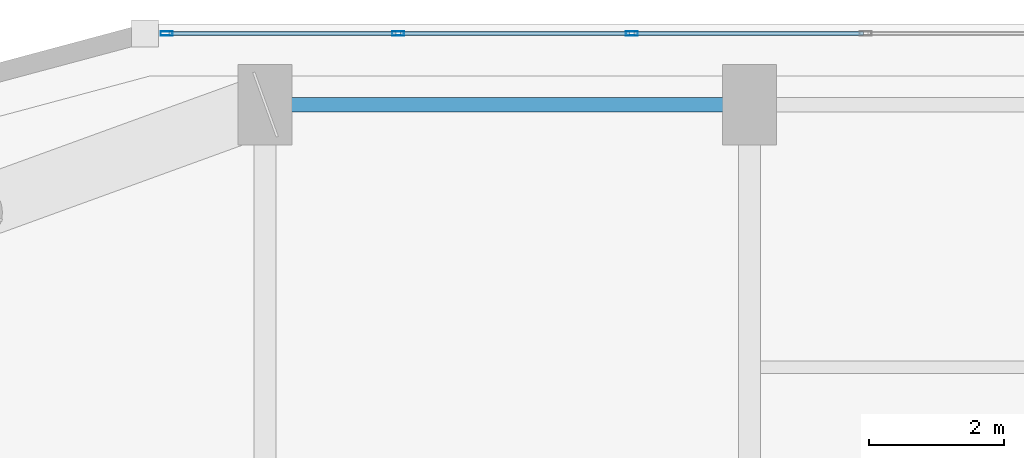
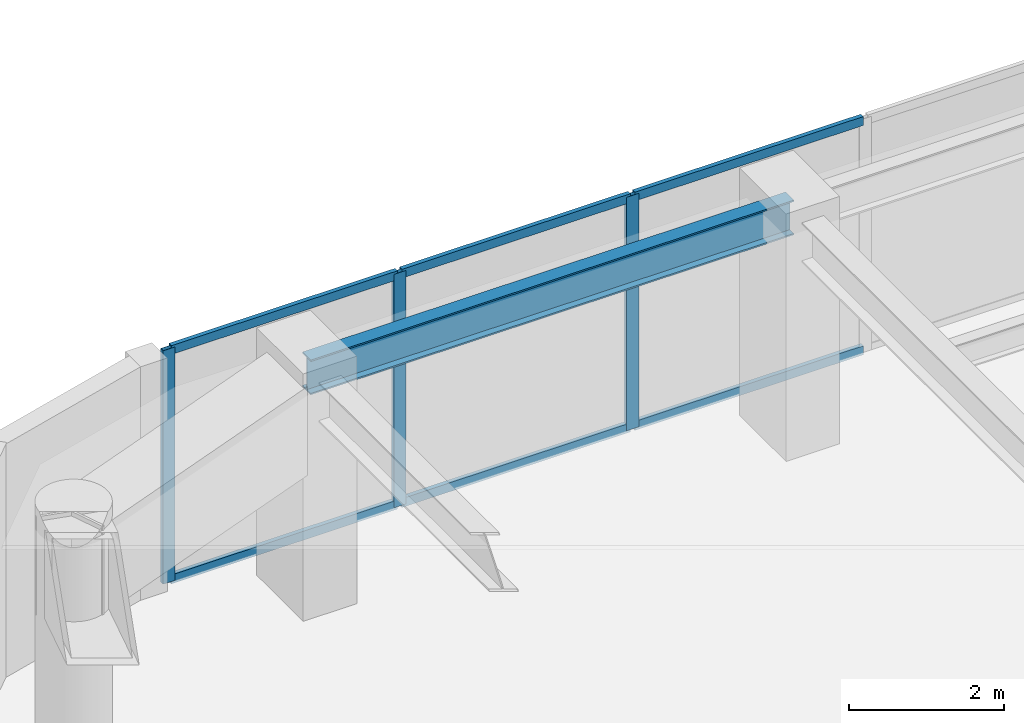
# One storey, part 17 of 30: 9 members, 1 beam, 1 element without a shape of its own.
"""IFC4 building model written with IfcOpenShell, lengths in metres."""

from ifc_helpers import new_model, si_unit, direction, frame, origin, origin_2d, place, context, subcontext, project, spatial, hollow_rectangle, i_section, extrude, material, layer, layer_set, material_profile, profile_set, type_object, element, aggregate, save


model = new_model("IFC4")

# Units and contexts
model_context = context("Model", 3, precision=1e-05, world=origin(), true_north=direction((0.0, 1.0)))
body_context = subcontext(model_context, "Body", "Model", "MODEL_VIEW")
ifc_project = project(units=[si_unit("LENGTHUNIT", "METRE"), si_unit("AREAUNIT", "SQUARE_METRE"), si_unit("VOLUMEUNIT", "CUBIC_METRE"), si_unit("PLANEANGLEUNIT", "RADIAN"), si_unit("MASSUNIT", "GRAM", prefix="KILO")], contexts=[model_context])

# Site, building, storey
site_placement = place(None, origin())
site = spatial("IfcSite", under=ifc_project, at=site_placement, CompositionType="ELEMENT")
building_placement = place(site_placement, origin())
building = spatial("IfcBuilding", under=site, at=building_placement, Name="Kiyonajd Concourse Tower", CompositionType="ELEMENT")
storey_placement = place(building_placement, frame((0.0, 0.0, 194.10009765625)))
storey = spatial("IfcBuildingStorey", under=building, at=storey_placement, Name="L49", CompositionType="ELEMENT", Elevation=194.10009765625)

# Beam
ifc_material_1 = material(Name="Steel ASTM A992 Grade 50", Category="steel")
ifc_material_profile_1 = material_profile(ifc_material_1, i_section(OverallWidth=0.214111328125, OverallDepth=0.549072265625, WebThickness=0.0146484375, FlangeThickness=0.023681640625, at=origin_2d()), Name="W530X138")
ifc_profile_set_1 = profile_set([ifc_material_profile_1], Name="Steel ASTM A992 Grade 50")
beam_type = type_object("IfcBeamType", Name="BM-SPAN-530A", PredefinedType="SPANDREL", material=ifc_profile_set_1)
beam_placement = place(storey_placement, frame((32.39990234375, 61.199951171875, 3.405517578125), z_axis=(-1.0, 0.0, 0.0), x_axis=(0.0, -1.0, 0.0)))
element("IfcBeam", 1, at=beam_placement, inside=storey, type_object=beam_type, Name="L49 Perimeter Bundled Tube Spandrel", PredefinedType="SPANDREL", context=body_context, shape_type="SweptSolid", body=[
    extrude(i_section(OverallWidth=0.214111328125, OverallDepth=0.549072265625, WebThickness=0.0146484375, FlangeThickness=0.023681640625, at=origin_2d()), origin(), (0.0, 0.0, 1.0), 7.199951171875),
])

# Curtain wall, members
ifc_material_2 = material(Name="Thermally Broken Anodised Aluminium", Category="aluminium")
ifc_layer = layer(ifc_material_2, 0.179931640625)
ifc_layer_set = layer_set([ifc_layer], Name="Thermally Broken Anodised Aluminium")
curtain_wall_type = type_object("IfcCurtainWallType", Name="CW-SYS-03", PredefinedType="NOTDEFINED", material=ifc_layer_set)
curtain_wall_placement = place(storey_placement, origin())
curtain_wall = element("IfcCurtainWall", 2, at=curtain_wall_placement, inside=storey, type_object=curtain_wall_type, Name="L49 Unitised Curtain Wall CW3", PredefinedType="NOTDEFINED")
ifc_material_profile_2 = material_profile(ifc_material_2, hollow_rectangle(XDim=0.06494140625, YDim=0.179931640625, WallThickness=0.00390625, at=origin_2d()), Name="MULL-65x180")
ifc_profile_set_2 = profile_set([ifc_material_profile_2], Name="Thermally Broken Anodised Aluminium")
member_type_1 = type_object("IfcMemberType", Name="MB-CW-MULL1", PredefinedType="MULLION", material=ifc_profile_set_2)
member_1_placement = place(storey_placement, frame((23.740966796875, 62.260009765625, 0.0), z_axis=(0.0, 0.0, 1.0), x_axis=(0.0, 1.0, 0.0)))
member_1 = element("IfcMember", 3, at=member_1_placement, type_object=member_type_1, Name="CW3 mullion 1", PredefinedType="MULLION", context=body_context, shape_type="SweptSolid", body=[
    extrude(hollow_rectangle(XDim=0.06494140625, YDim=0.179931640625, WallThickness=0.00390625, at=origin_2d()), origin(), (0.0, 0.0, 1.0), 3.679931640625),
])
member_2_placement = place(storey_placement, frame((27.180908203125, 62.260009765625, 0.0), z_axis=(0.0, 0.0, 1.0), x_axis=(0.0, 1.0, 0.0)))
member_2 = element("IfcMember", 4, at=member_2_placement, type_object=member_type_1, Name="CW3 mullion 2", PredefinedType="MULLION", context=body_context, shape_type="SweptSolid", body=[
    extrude(hollow_rectangle(XDim=0.06494140625, YDim=0.179931640625, WallThickness=0.00390625, at=origin_2d()), origin(), (0.0, 0.0, 1.0), 3.679931640625),
])
member_3_placement = place(storey_placement, frame((30.6533203125, 62.260009765625, 0.0), z_axis=(0.0, 0.0, 1.0), x_axis=(0.0, 1.0, 0.0)))
member_3 = element("IfcMember", 5, at=member_3_placement, type_object=member_type_1, Name="CW3 mullion 3", PredefinedType="MULLION", context=body_context, shape_type="SweptSolid", body=[
    extrude(hollow_rectangle(XDim=0.06494140625, YDim=0.179931640625, WallThickness=0.00390625, at=origin_2d()), origin(), (0.0, 0.0, 1.0), 3.679931640625),
])
ifc_material_profile_3 = material_profile(ifc_material_2, hollow_rectangle(XDim=0.06494140625, YDim=0.139892578125, WallThickness=0.00390625, at=origin_2d()), Name="TRAN-65x140")
ifc_profile_set_3 = profile_set([ifc_material_profile_3], Name="Thermally Broken Anodised Aluminium")
member_type_2 = type_object("IfcMemberType", Name="MB-CW-TRAN1", PredefinedType="USERDEFINED", material=ifc_profile_set_3)
member_4_placement = place(storey_placement, frame((23.7734375, 62.260009765625, 0.032470703125), z_axis=(1.0, 0.0, 0.0), x_axis=(0.0, 1.0, 0.0)))
member_4 = element("IfcMember", 6, at=member_4_placement, type_object=member_type_2, Name="CW3 transom 1.1", ObjectType="TRANSOM", PredefinedType="USERDEFINED", context=body_context, shape_type="SweptSolid", body=[
    extrude(hollow_rectangle(XDim=0.06494140625, YDim=0.139892578125, WallThickness=0.00390625, at=origin_2d()), origin(), (0.0, 0.0, 1.0), 3.374755859375),
])
member_5_placement = place(storey_placement, frame((23.7734375, 62.260009765625, 3.6474609375), z_axis=(1.0, 0.0, 0.0), x_axis=(0.0, 1.0, 0.0)))
member_5 = element("IfcMember", 7, at=member_5_placement, type_object=member_type_2, Name="CW3 transom 1.2", ObjectType="TRANSOM", PredefinedType="USERDEFINED", context=body_context, shape_type="SweptSolid", body=[
    extrude(hollow_rectangle(XDim=0.06494140625, YDim=0.139892578125, WallThickness=0.00390625, at=origin_2d()), origin(), (0.0, 0.0, 1.0), 3.374755859375),
])
member_6_placement = place(storey_placement, frame((27.21337890625, 62.260009765625, 0.032470703125), z_axis=(1.0, 0.0, 0.0), x_axis=(0.0, 1.0, 0.0)))
member_6 = element("IfcMember", 8, at=member_6_placement, type_object=member_type_2, Name="CW3 transom 2.1", ObjectType="TRANSOM", PredefinedType="USERDEFINED", context=body_context, shape_type="SweptSolid", body=[
    extrude(hollow_rectangle(XDim=0.06494140625, YDim=0.139892578125, WallThickness=0.00390625, at=origin_2d()), origin(), (0.0, 0.0, 1.0), 3.4072265625),
])
member_7_placement = place(storey_placement, frame((27.21337890625, 62.260009765625, 3.6474609375), z_axis=(1.0, 0.0, 0.0), x_axis=(0.0, 1.0, 0.0)))
member_7 = element("IfcMember", 9, at=member_7_placement, type_object=member_type_2, Name="CW3 transom 2.2", ObjectType="TRANSOM", PredefinedType="USERDEFINED", context=body_context, shape_type="SweptSolid", body=[
    extrude(hollow_rectangle(XDim=0.06494140625, YDim=0.139892578125, WallThickness=0.00390625, at=origin_2d()), origin(), (0.0, 0.0, 1.0), 3.4072265625),
])
member_8_placement = place(storey_placement, frame((30.685791015625, 62.260009765625, 0.032470703125), z_axis=(1.0, 0.0, 0.0), x_axis=(0.0, 1.0, 0.0)))
member_8 = element("IfcMember", 10, at=member_8_placement, type_object=member_type_2, Name="CW3 transom 3.1", ObjectType="TRANSOM", PredefinedType="USERDEFINED", context=body_context, shape_type="SweptSolid", body=[
    extrude(hollow_rectangle(XDim=0.06494140625, YDim=0.139892578125, WallThickness=0.00390625, at=origin_2d()), origin(), (0.0, 0.0, 1.0), 3.4072265625),
])
member_9_placement = place(storey_placement, frame((30.685791015625, 62.260009765625, 3.6474609375), z_axis=(1.0, 0.0, 0.0), x_axis=(0.0, 1.0, 0.0)))
member_9 = element("IfcMember", 11, at=member_9_placement, type_object=member_type_2, Name="CW3 transom 3.2", ObjectType="TRANSOM", PredefinedType="USERDEFINED", context=body_context, shape_type="SweptSolid", body=[
    extrude(hollow_rectangle(XDim=0.06494140625, YDim=0.139892578125, WallThickness=0.00390625, at=origin_2d()), origin(), (0.0, 0.0, 1.0), 3.4072265625),
])
aggregate(curtain_wall, [member_1, member_2, member_3, member_4, member_5, member_6, member_7, member_8, member_9])

save(model, "model.ifc")
